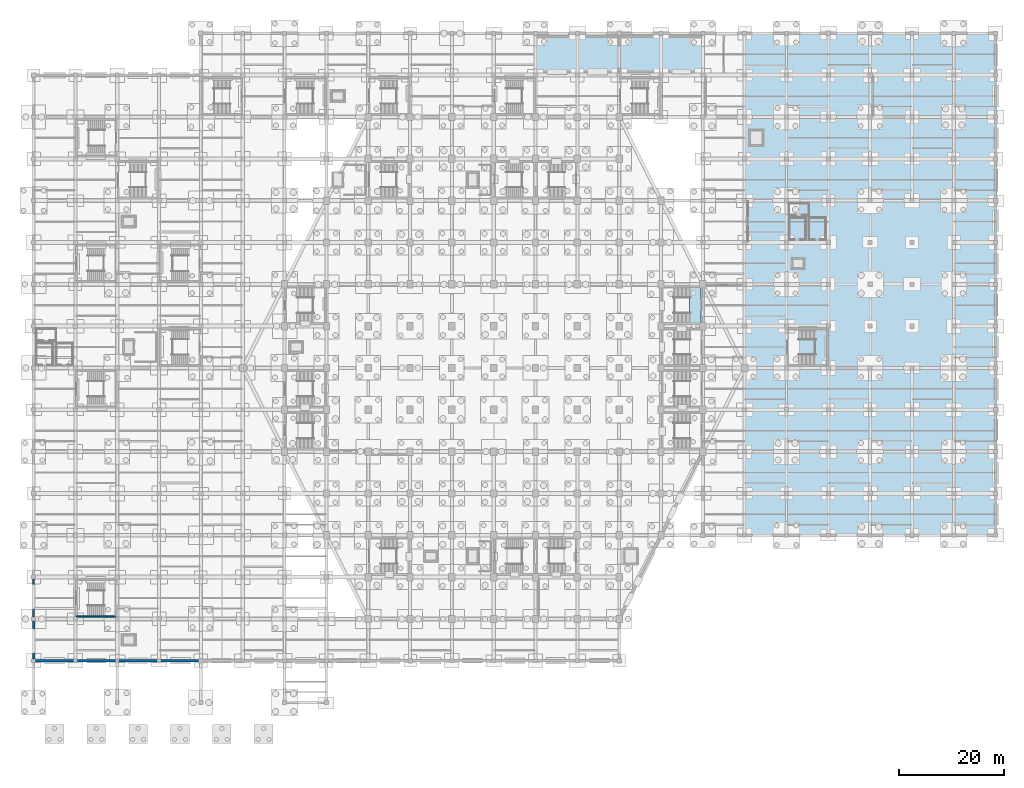
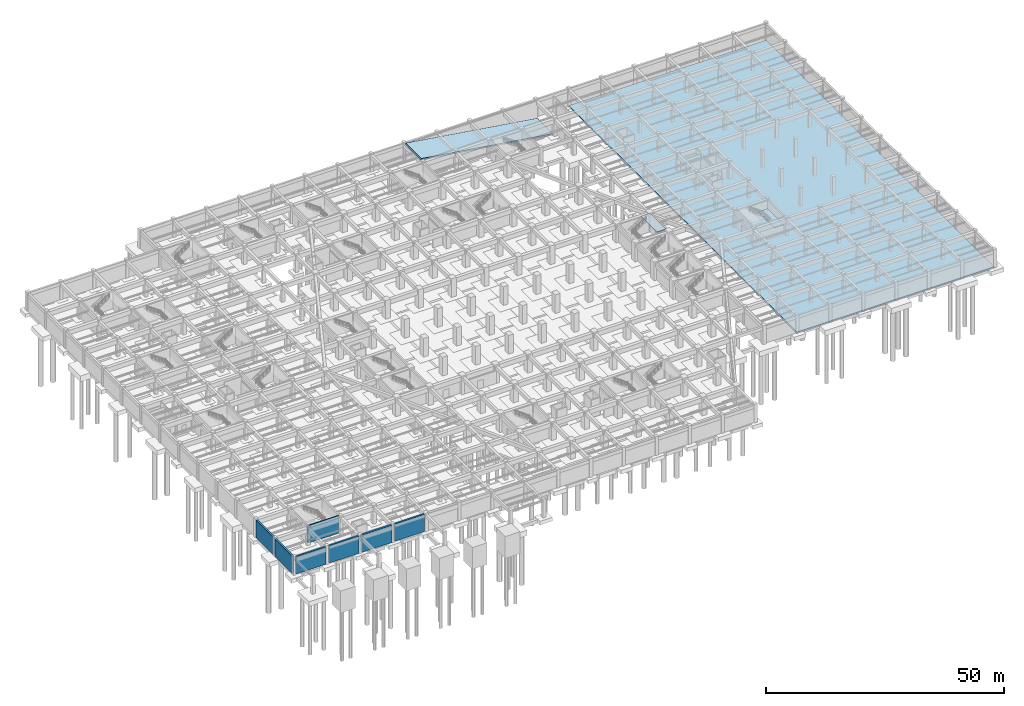
# One storey, part 22 of 36: 7 walls, 4 slabs, 2 elements without a shape of their own.
"""IFC4 building model written with IfcOpenShell, lengths in metres."""

from ifc_helpers import new_model, si_unit, direction, frame, frame_2d, origin, place, context, subcontext, project, spatial, polyline, rectangle, outline, extrude, material, layer, layer_set, type_object, element, aggregate, save


model = new_model("IFC4")

# Units and contexts
model_context = context("Model", 3, precision=1e-05, world=origin(), true_north=direction((0.0, 1.0)))
body_context = subcontext(model_context, "Body", "Model", "MODEL_VIEW")
ifc_project = project(units=[si_unit("LENGTHUNIT", "METRE"), si_unit("AREAUNIT", "SQUARE_METRE"), si_unit("VOLUMEUNIT", "CUBIC_METRE"), si_unit("PLANEANGLEUNIT", "RADIAN"), si_unit("MASSUNIT", "GRAM", prefix="KILO")], contexts=[model_context])

# Site, building, storey
site_placement = place(None, origin())
site = spatial("IfcSite", under=ifc_project, at=site_placement, CompositionType="ELEMENT")
building_placement = place(site_placement, origin())
building = spatial("IfcBuilding", under=site, at=building_placement, Name="Tazarka Park Arena", CompositionType="ELEMENT")
storey_placement = place(building_placement, frame((0.0, 0.0, -4.800048828125)))
storey = spatial("IfcBuildingStorey", under=building, at=storey_placement, Name="B1", CompositionType="ELEMENT", Elevation=-4.800048828125)

# Stair, slab
ifc_material_1 = material(Name="Precast concrete C40/50", Category="concrete")
stair_type_1 = type_object("IfcStairType", Name="STR-2400", PredefinedType="HALF_TURN_STAIR", material=ifc_material_1)
stair_1_placement = place(storey_placement, origin())
stair_1 = element("IfcStair", 1, at=stair_1_placement, inside=storey, type_object=stair_type_1, Name="Stair ST18 B1", PredefinedType="HALF_TURN_STAIR")
ifc_material_2 = material(Name="Precast concrete C40/50", Category="concrete")
ifc_layer_1 = layer(ifc_material_2, 0.199951171875, Name="Precast concrete C40/50")
ifc_layer_set_1 = layer_set([ifc_layer_1], Name="Precast concrete C40/50")
slab_type_1 = type_object("IfcSlabType", Name="LND-01", PredefinedType="LANDING", material=ifc_layer_set_1)
slab_1_placement = place(storey_placement, frame((0.0, 0.0, 2.199951171875)))
slab_1 = element("IfcSlab", 2, at=slab_1_placement, type_object=slab_type_1, Name="ST18-B1 landing 1", PredefinedType="LANDING", context=body_context, shape_type="SweptSolid", body=[
    extrude(outline(polyline([(149.409912109375, 64.610107421875), (151.68994140625, 64.610107421875), (151.68994140625, 71.389892578125), (149.409912109375, 71.389892578125), (149.409912109375, 64.610107421875)])), origin(), (0.0, 0.0, 1.0), 0.2001953125),
])
aggregate(stair_1, [slab_1])

ifc_material_3 = material(Name="Precast concrete C40/50", Category="concrete")
stair_type_2 = type_object("IfcStairType", Name="STR-1800", PredefinedType="HALF_TURN_STAIR", material=ifc_material_3)
stair_2_placement = place(storey_placement, origin())
stair_2 = element("IfcStair", 3, at=stair_2_placement, inside=storey, type_object=stair_type_2, Name="Vomitory Stair ST22 B1", PredefinedType="HALF_TURN_STAIR")
slab_2_placement = place(storey_placement, frame((0.0, 0.0, 4.60009765625)))
slab_2 = element("IfcSlab", 4, at=slab_2_placement, type_object=slab_type_1, Name="ST22-B1 landing 2", PredefinedType="LANDING", context=body_context, shape_type="SweptSolid", body=[
    extrude(outline(polyline([(125.465087890625, 72.610107421875), (127.68994140625, 72.610107421875), (127.68994140625, 79.389892578125), (125.465087890625, 79.389892578125), (125.465087890625, 72.610107421875)])), origin(), (0.0, 0.0, 1.0), 0.199951171875),
])
aggregate(stair_2, [slab_2])

# Slabs
ifc_material_4 = material(Name="Concrete C35/45", Category="concrete")
ifc_layer_2 = layer(ifc_material_4, 0.449951171875, Name="Concrete C35/45")
ifc_layer_set_2 = layer_set([ifc_layer_2], Name="Concrete C35/45")
slab_type_2 = type_object("IfcSlabType", Name="SLB-BS-01", PredefinedType="BASESLAB", material=ifc_layer_set_2)
slab_3_placement = place(storey_placement, frame((0.0, 0.0, -0.449951171875)))
element("IfcSlab", 5, at=slab_3_placement, inside=storey, type_object=slab_type_2, Name="FLR-B1-E-01", PredefinedType="BASESLAB", context=body_context, shape_type="SweptSolid", body=[
    extrude(outline(polyline([(183.969970703125, 128.0), (184.0, 127.969970703125), (183.99658203125, 32.015869140625), (136.035888671875, 32.00341796875), (136.0234375, 127.984130859375), (183.969970703125, 128.0)])), origin(), (0.0, 0.0, 1.0), 0.449951171875),
])
ifc_material_5 = material(Name="Concrete C40/50", Category="concrete")
ifc_layer_3 = layer(ifc_material_5, 0.3798828125, Name="Concrete C40/50")
ifc_layer_set_3 = layer_set([ifc_layer_3], Name="Concrete C40/50")
slab_type_3 = type_object("IfcSlabType", Name="SLB-SL-06", PredefinedType="FLOOR", material=ifc_layer_set_3)
slab_4_placement = place(storey_placement, frame((96.0, 120.699951171875, 4.800048828125), z_axis=(0.148341928722, 0.0, 0.988936131498), x_axis=(0.988936131498, 0.0, -0.148341928722)))
element("IfcSlab", 6, at=slab_4_placement, inside=storey, type_object=slab_type_3, Name="Basement Car Park Structural Vehicle Ramp VR-01", PredefinedType="FLOOR", context=body_context, shape_type="SweptSolid", body=[
    extrude(outline(polyline([(0.0, 0.0), (32.35800470907291, 0.0), (32.35800470907291, 6.600097656250002), (0.0, 6.600097656250002), (0.0, 0.0)])), origin(), (0.0, 0.0, -1.0), 0.3798828125),
])

# Walls
ifc_material_6 = material(Name="Concrete C40/50", Category="concrete")
ifc_layer_4 = layer(ifc_material_6, 0.300048828125, Name="Concrete C40/50")
ifc_layer_set_4 = layer_set([ifc_layer_4], Name="Concrete C40/50")
wall_type_1 = type_object("IfcWallType", Name="IWAL-CW-S1", PredefinedType="SHEAR", material=ifc_layer_set_4)
wall_1_placement = place(storey_placement, frame((15.800048828125, 16.5, 0.0), z_axis=(0.0, 0.0, 1.0), x_axis=(-1.0, 0.0, 0.0)))
element("IfcWall", 7, at=wall_1_placement, inside=storey, type_object=wall_type_1, Name="SCW-B1-ST17-S", PredefinedType="SHEAR", context=body_context, shape_type="SweptSolid", body=[
    extrude(rectangle(XDim=7.60009765625, YDim=0.300048828125, at=frame_2d((3.800048828125, 0.0))), origin(), (0.0, 0.0, 1.0), 4.4599609375),
])
ifc_material_7 = material(Name="Concrete C35/45", Category="concrete")
ifc_layer_5 = layer(ifc_material_7, 0.39990234375, Name="Concrete C35/45")
ifc_layer_set_5 = layer_set([ifc_layer_5], Name="Concrete C35/45")
wall_type_2 = type_object("IfcWallType", Name="WAL-RW-01", PredefinedType="USERDEFINED", material=ifc_layer_set_5)
wall_2_placement = place(storey_placement, frame((7.64501953125, 8.0, 0.0), z_axis=(0.0, 0.0, 1.0), x_axis=(-1.0, 0.0, 0.0)))
element("IfcWall", 8, at=wall_2_placement, inside=storey, type_object=wall_type_2, Name="EW-B1-0060", ObjectType="RETAININGWALL", PredefinedType="USERDEFINED", context=body_context, shape_type="SweptSolid", body=[
    extrude(rectangle(XDim=7.2900390625, YDim=0.39990234375, at=frame_2d((3.64501953125, 0.0))), origin(), (0.0, 0.0, 1.0), 4.4599609375),
])
wall_3_placement = place(storey_placement, frame((31.594970703125, 8.0, 0.0), z_axis=(0.0, 0.0, 1.0), x_axis=(-1.0, 0.0, 0.0)))
element("IfcWall", 9, at=wall_3_placement, inside=storey, type_object=wall_type_2, Name="EW-B1-0063", ObjectType="RETAININGWALL", PredefinedType="USERDEFINED", context=body_context, shape_type="SweptSolid", body=[
    extrude(rectangle(XDim=7.239990234375, YDim=0.39990234375, at=frame_2d((3.6201171875, 0.0))), origin(), (0.0, 0.0, 1.0), 4.4599609375),
])
ifc_material_8 = material(Name="Concrete C35/45", Category="concrete")
ifc_layer_6 = layer(ifc_material_8, 0.43994140625, Name="Concrete C35/45")
ifc_layer_set_6 = layer_set([ifc_layer_6], Name="Concrete C35/45")
wall_type_3 = type_object("IfcWallType", Name="WAL-RW-02", PredefinedType="USERDEFINED", material=ifc_layer_set_6)
for number, where, z_axis, x_axis, name in (
    (10, (0.0, 16.35498046875, 0.0), (0.0, 0.0, 1.0), (0.0, 1.0, 0.0), "EW-B1-0058"),
    (11, (15.64501953125, 8.0, 0.0), (0.0, 0.0, 1.0), (-1.0, 0.0, 0.0), "EW-B1-0061"),
):
    element("IfcWall", number, at=place(storey_placement, frame(where, z_axis=z_axis, x_axis=x_axis)), inside=storey, type_object=wall_type_3, Name=name, ObjectType="RETAININGWALL", PredefinedType="USERDEFINED", context=body_context, shape_type="SweptSolid", body=[
        extrude(rectangle(XDim=7.2900390625, YDim=0.43994140625, at=frame_2d((3.64501953125, 0.0))), origin(), (0.0, 0.0, 1.0), 4.4599609375),
    ])
ifc_material_9 = material(Name="Concrete C35/45", Category="concrete")
ifc_layer_7 = layer(ifc_material_9, 0.47998046875, Name="Concrete C35/45")
ifc_layer_set_7 = layer_set([ifc_layer_7], Name="Concrete C35/45")
wall_type_4 = type_object("IfcWallType", Name="WAL-RW-03", PredefinedType="USERDEFINED", material=ifc_layer_set_7)
for number, where, z_axis, x_axis, name in (
    (12, (0.0, 8.35498046875, 0.0), (0.0, 0.0, 1.0), (0.0, 1.0, 0.0), "EW-B1-0059"),
    (13, (23.64501953125, 8.0, 0.0), (0.0, 0.0, 1.0), (-1.0, 0.0, 0.0), "EW-B1-0062"),
):
    element("IfcWall", number, at=place(storey_placement, frame(where, z_axis=z_axis, x_axis=x_axis)), inside=storey, type_object=wall_type_4, Name=name, ObjectType="RETAININGWALL", PredefinedType="USERDEFINED", context=body_context, shape_type="SweptSolid", body=[
        extrude(rectangle(XDim=7.2900390625, YDim=0.47998046875, at=frame_2d((3.64501953125, 0.0))), origin(), (0.0, 0.0, 1.0), 4.4599609375),
    ])

save(model, "model.ifc")
